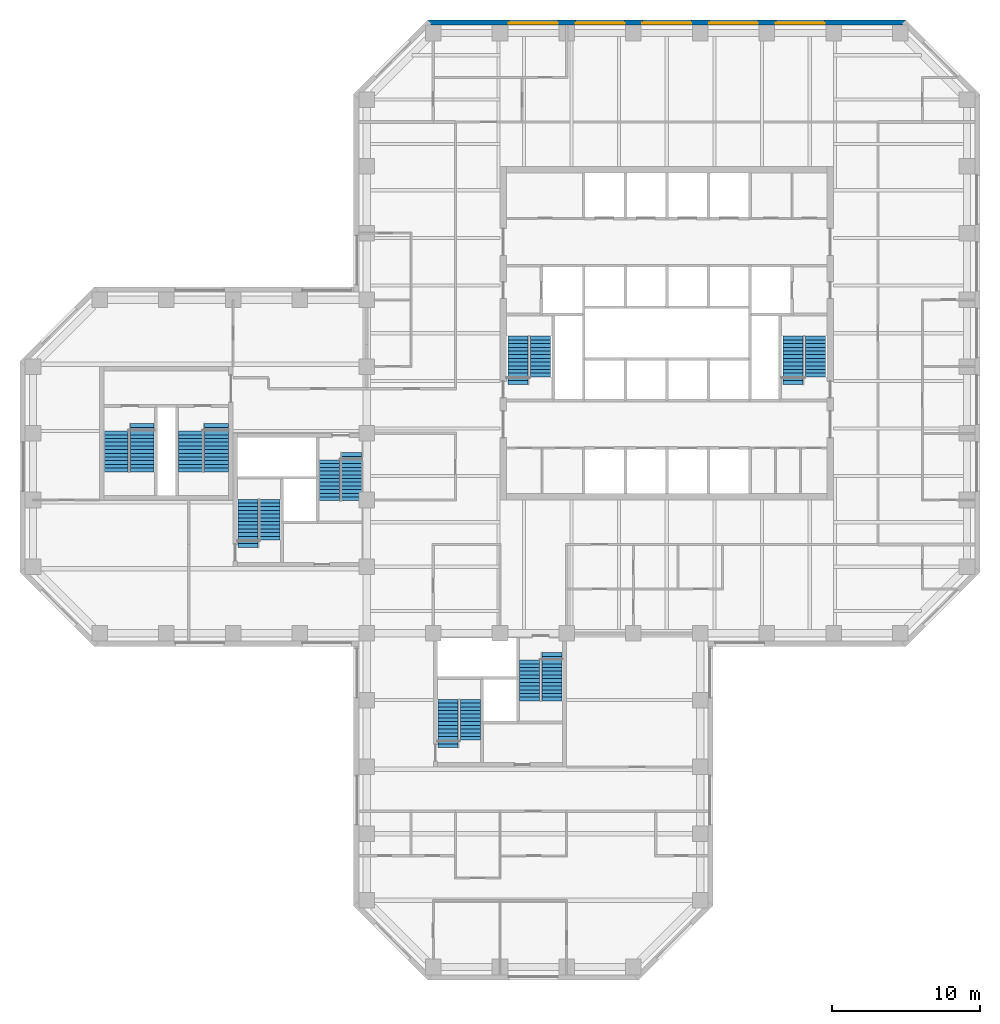
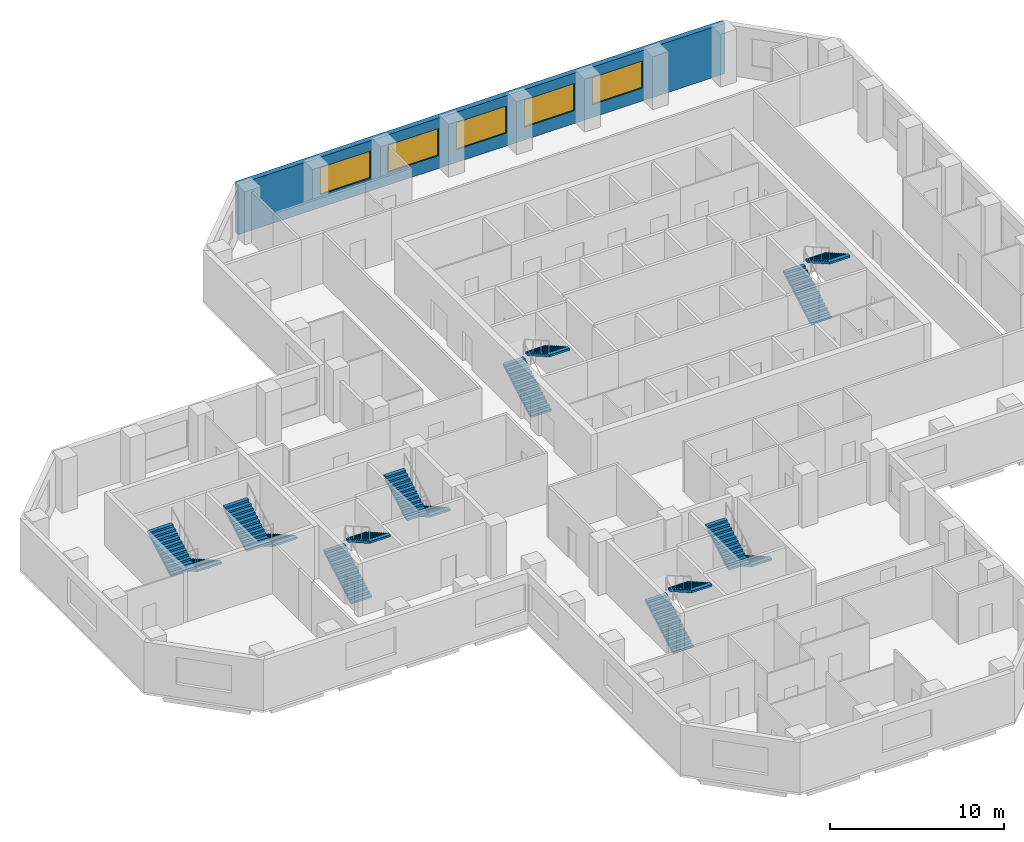
# One storey, part 9 of 10: 16 stair flights, 5 windows, 1 wall, 5 openings, 8 elements without a shape of their own.
"""IFC4 building model written with IfcOpenShell, lengths in metres."""

from ifc_helpers import new_model, si_unit, direction, frame, frame_2d, origin, place, context, subcontext, project, spatial, polyline, rectangle, outline, extrude, material, layer, layer_set, constituent, constituent_set, type_object, element, fill, aggregate, save


model = new_model("IFC4")

# Units and contexts
model_context = context("Model", 3, precision=1e-05, world=origin(), true_north=direction((0.0, 1.0)))
body_context = subcontext(model_context, "Body", "Model", "MODEL_VIEW")
ifc_project = project(units=[si_unit("LENGTHUNIT", "METRE"), si_unit("AREAUNIT", "SQUARE_METRE"), si_unit("VOLUMEUNIT", "CUBIC_METRE"), si_unit("PLANEANGLEUNIT", "RADIAN"), si_unit("MASSUNIT", "GRAM", prefix="KILO")], contexts=[model_context])

# Site, building, storey
site_placement = place(None, origin())
site = spatial("IfcSite", under=ifc_project, at=site_placement, CompositionType="ELEMENT")
building_placement = place(site_placement, origin())
building = spatial("IfcBuilding", under=site, at=building_placement, Name="Quoin Convention Tower", CompositionType="ELEMENT")
storey_placement = place(building_placement, frame((0.0, 0.0, 90.0)))
storey = spatial("IfcBuildingStorey", under=building, at=storey_placement, Name="L23", CompositionType="ELEMENT", Elevation=90.0)

# Wall, openings, windows
ifc_material_1 = material(Name="Brick masonry", Category="masonry")
ifc_layer = layer(ifc_material_1, 0.35009765625)
ifc_layer_set = layer_set([ifc_layer], Name="Brick masonry")
wall_type = type_object("IfcWallType", Name="Brick facade wall", PredefinedType="STANDARD", material=ifc_layer_set)
wall_placement = place(storey_placement, frame((72.3623046875, 81.699951171875, 0.0), z_axis=(0.0, 0.0, 1.0), x_axis=(-1.0, 0.0, 0.0)))
wall = element("IfcWall", 1, at=wall_placement, inside=storey, type_object=wall_type, Name="fw-L23-72000_81000", PredefinedType="STANDARD", context=body_context, shape_type="SweptSolid", body=[
    extrude(rectangle(XDim=32.224609375, YDim=0.35009765625, at=frame_2d((16.1123046875, 0.0))), origin(), (0.0, 0.0, 1.0), 3.52490234375),
])
opening_1_placement = place(wall_placement, frame((5.46240234375, 0.0, 0.89990234375)))
opening_1 = element("IfcOpeningElement", 2, at=opening_1_placement, cuts=wall, Name="Opening W-02", PredefinedType="OPENING", context=body_context, shape_type="SweptSolid", body=[
    extrude(rectangle(XDim=3.300048828125, YDim=1.89990234375, at=frame_2d((1.64990234375, 0.949951171875))), frame((0.0, 0.18505859375, 0.0), z_axis=(0.0, -1.0, 0.0), x_axis=(1.0, 0.0, 0.0)), (0.0, 0.0, 1.0), 0.3701171875),
])
opening_2_placement = place(wall_placement, frame((9.96240234375, 0.0, 0.89990234375)))
opening_2 = element("IfcOpeningElement", 3, at=opening_2_placement, cuts=wall, Name="Opening W-02", PredefinedType="OPENING", context=body_context, shape_type="SweptSolid", body=[
    extrude(rectangle(XDim=3.300048828125, YDim=1.89990234375, at=frame_2d((1.64990234375, 0.949951171875))), frame((0.0, 0.18505859375, 0.0), z_axis=(0.0, -1.0, 0.0), x_axis=(1.0, 0.0, 0.0)), (0.0, 0.0, 1.0), 0.3701171875),
])
opening_3_placement = place(wall_placement, frame((14.46240234375, 0.0, 0.89990234375)))
opening_3 = element("IfcOpeningElement", 4, at=opening_3_placement, cuts=wall, Name="Opening W-02", PredefinedType="OPENING", context=body_context, shape_type="SweptSolid", body=[
    extrude(rectangle(XDim=3.300048828125, YDim=1.89990234375, at=frame_2d((1.64990234375, 0.949951171875))), frame((0.0, 0.18505859375, 0.0), z_axis=(0.0, -1.0, 0.0), x_axis=(1.0, 0.0, 0.0)), (0.0, 0.0, 1.0), 0.3701171875),
])
opening_4_placement = place(wall_placement, frame((18.96240234375, 0.0, 0.89990234375)))
opening_4 = element("IfcOpeningElement", 5, at=opening_4_placement, cuts=wall, Name="Opening W-02", PredefinedType="OPENING", context=body_context, shape_type="SweptSolid", body=[
    extrude(rectangle(XDim=3.300048828125, YDim=1.89990234375, at=frame_2d((1.64990234375, 0.949951171875))), frame((0.0, 0.18505859375, 0.0), z_axis=(0.0, -1.0, 0.0), x_axis=(1.0, 0.0, 0.0)), (0.0, 0.0, 1.0), 0.3701171875),
])
opening_5_placement = place(wall_placement, frame((23.46240234375, 0.0, 0.89990234375)))
opening_5 = element("IfcOpeningElement", 6, at=opening_5_placement, cuts=wall, Name="Opening W-02", PredefinedType="OPENING", context=body_context, shape_type="SweptSolid", body=[
    extrude(rectangle(XDim=3.300048828125, YDim=1.89990234375, at=frame_2d((1.64990234375, 0.949951171875))), frame((0.0, 0.18505859375, 0.0), z_axis=(0.0, -1.0, 0.0), x_axis=(1.0, 0.0, 0.0)), (0.0, 0.0, 1.0), 0.3701171875),
])
ifc_material_2 = material(Name="Aluminium", Category="aluminium")
ifc_constituent_1 = constituent(ifc_material_2, Name="Frame")
ifc_material_3 = material(Name="Insulated glass", Category="glass")
ifc_constituent_2 = constituent(ifc_material_3, Name="Glazing")
ifc_constituent_set = constituent_set(constituents=[ifc_constituent_1, ifc_constituent_2], Name="Aluminium")
window_type = type_object("IfcWindowType", Name="Office window", PartitioningType="DOUBLE_PANEL_VERTICAL", PredefinedType="WINDOW", material=ifc_constituent_set)
window_1_placement = place(opening_1_placement, origin())
window_1 = element("IfcWindow", 7, at=window_1_placement, inside=storey, type_object=window_type, Name="win-L23-65250_81700", OverallHeight=1.89990234375, OverallWidth=3.300048828125, PartitioningType="SINGLE_PANEL", PredefinedType="WINDOW", context=body_context, shape_type="SweptSolid", body=[
    extrude(rectangle(XDim=3.300048828125, YDim=1.89990234375, at=frame_2d((1.64990234375, 0.949951171875))), frame((0.0, 0.0849609375, 0.0), z_axis=(0.0, -1.0, 0.0), x_axis=(1.0, 0.0, 0.0)), (0.0, 0.0, 1.0), 0.06005859375),
])
fill(opening_1, window_1)
window_2_placement = place(opening_2_placement, origin())
window_2 = element("IfcWindow", 8, at=window_2_placement, inside=storey, type_object=window_type, Name="win-L23-60750_81700", OverallHeight=1.89990234375, OverallWidth=3.300048828125, PartitioningType="SINGLE_PANEL", PredefinedType="WINDOW", context=body_context, shape_type="SweptSolid", body=[
    extrude(rectangle(XDim=3.300048828125, YDim=1.89990234375, at=frame_2d((1.64990234375, 0.949951171875))), frame((0.0, 0.0849609375, 0.0), z_axis=(0.0, -1.0, 0.0), x_axis=(1.0, 0.0, 0.0)), (0.0, 0.0, 1.0), 0.06005859375),
])
fill(opening_2, window_2)
window_3_placement = place(opening_3_placement, origin())
window_3 = element("IfcWindow", 9, at=window_3_placement, inside=storey, type_object=window_type, Name="win-L23-56250_81700", OverallHeight=1.89990234375, OverallWidth=3.300048828125, PartitioningType="SINGLE_PANEL", PredefinedType="WINDOW", context=body_context, shape_type="SweptSolid", body=[
    extrude(rectangle(XDim=3.300048828125, YDim=1.89990234375, at=frame_2d((1.64990234375, 0.949951171875))), frame((0.0, 0.0849609375, 0.0), z_axis=(0.0, -1.0, 0.0), x_axis=(1.0, 0.0, 0.0)), (0.0, 0.0, 1.0), 0.06005859375),
])
fill(opening_3, window_3)
window_4_placement = place(opening_4_placement, origin())
window_4 = element("IfcWindow", 10, at=window_4_placement, inside=storey, type_object=window_type, Name="win-L23-51750_81700", OverallHeight=1.89990234375, OverallWidth=3.300048828125, PartitioningType="SINGLE_PANEL", PredefinedType="WINDOW", context=body_context, shape_type="SweptSolid", body=[
    extrude(rectangle(XDim=3.300048828125, YDim=1.89990234375, at=frame_2d((1.64990234375, 0.949951171875))), frame((0.0, 0.0849609375, 0.0), z_axis=(0.0, -1.0, 0.0), x_axis=(1.0, 0.0, 0.0)), (0.0, 0.0, 1.0), 0.06005859375),
])
fill(opening_4, window_4)
window_5_placement = place(opening_5_placement, origin())
window_5 = element("IfcWindow", 11, at=window_5_placement, inside=storey, type_object=window_type, Name="win-L23-47250_81700", OverallHeight=1.89990234375, OverallWidth=3.300048828125, PartitioningType="SINGLE_PANEL", PredefinedType="WINDOW", context=body_context, shape_type="SweptSolid", body=[
    extrude(rectangle(XDim=3.300048828125, YDim=1.89990234375, at=frame_2d((1.64990234375, 0.949951171875))), frame((0.0, 0.0849609375, 0.0), z_axis=(0.0, -1.0, 0.0), x_axis=(1.0, 0.0, 0.0)), (0.0, 0.0, 1.0), 0.06005859375),
])
fill(opening_5, window_5)

# Stair, stair flights
ifc_material_4 = material(Name="Concrete C40", Category="concrete")
stair_type_1 = type_object("IfcStairType", Name="Exit stair two-flight 1350", PredefinedType="HALF_TURN_STAIR", material=ifc_material_4)
stair_1_placement = place(storey_placement, origin())
stair_1 = element("IfcStair", 12, at=stair_1_placement, inside=storey, type_object=stair_type_1, Name="SD1 L23", PredefinedType="HALF_TURN_STAIR")
stair_flight_type_1 = type_object("IfcStairFlightType", Name="Stair flight 1350", PredefinedType="STRAIGHT", material=ifc_material_4)
stair_flight_1_placement = place(storey_placement, frame((46.22509765625, 57.300048828125, 0.0), z_axis=(0.0, 0.0, 1.0), x_axis=(0.0, 1.0, 0.0)))
stair_flight_1 = element("IfcStairFlight", 13, at=stair_flight_1_placement, type_object=stair_flight_type_1, Name="ST1 flight 1", NumberOfRisers=14, NumberOfTreads=13, PredefinedType="STRAIGHT", RiserHeight=0.142307692, TreadLength=0.25, context=body_context, shape_type="SweptSolid", body=[
    extrude(outline(polyline([(0.0, 0.0), (0.0, 0.142333984375), (0.25, 0.142333984375), (0.25, 0.28466796875), (0.5, 0.28466796875), (0.5, 0.427001953125), (0.75, 0.427001953125), (0.75, 0.5693359375), (1.0, 0.5693359375), (1.0, 0.71142578125), (1.25, 0.71142578125), (1.25, 0.853759765625), (1.5, 0.853759765625), (1.5, 0.99609375), (1.75, 0.99609375), (1.75, 1.138427734375), (2.0, 1.138427734375), (2.0, 1.28076171875), (2.25, 1.28076171875), (2.25, 1.423095703125), (2.5, 1.423095703125), (2.5, 1.5654296875), (2.75, 1.5654296875), (2.75, 1.707763671875), (3.0, 1.707763671875), (3.0, 1.85009765625), (3.25, 1.85009765625), (3.25, 1.9921875), (3.25, 1.711669921875), (0.242919921875, 0.0), (0.0, 0.0)])), frame((0.0, 0.675048828125, 0.0), z_axis=(0.0, -1.0, 0.0), x_axis=(1.0, 0.0, 0.0)), (0.0, 0.0, 1.0), 1.35009765625),
])
stair_flight_2_placement = place(storey_placement, frame((47.72509765625, 60.550048828125, 1.9921875), z_axis=(0.0, 0.0, 1.0), x_axis=(0.0, -1.0, 0.0)))
stair_flight_2 = element("IfcStairFlight", 14, at=stair_flight_2_placement, type_object=stair_flight_type_1, Name="ST1 flight 2", NumberOfRisers=12, NumberOfTreads=11, PredefinedType="STRAIGHT", RiserHeight=0.142307692, TreadLength=0.25, context=body_context, shape_type="SweptSolid", body=[
    extrude(outline(polyline([(0.0, 0.0), (0.0, 0.142333984375), (0.25, 0.142333984375), (0.25, 0.28466796875), (0.5, 0.28466796875), (0.5, 0.427001953125), (0.75, 0.427001953125), (0.75, 0.5693359375), (1.0, 0.5693359375), (1.0, 0.71142578125), (1.25, 0.71142578125), (1.25, 0.853759765625), (1.5, 0.853759765625), (1.5, 0.99609375), (1.75, 0.99609375), (1.75, 1.138427734375), (2.0, 1.138427734375), (2.0, 1.28076171875), (2.25, 1.28076171875), (2.25, 1.423095703125), (2.5, 1.423095703125), (2.5, 1.5654296875), (2.75, 1.5654296875), (2.75, 1.707763671875), (2.75, 1.42724609375), (0.242919921875, 0.0), (0.0, 0.0)])), frame((0.0, 0.675048828125, 0.0), z_axis=(0.0, -1.0, 0.0), x_axis=(1.0, 0.0, 0.0)), (0.0, 0.0, 1.0), 1.35009765625),
])
aggregate(stair_1, [stair_flight_1, stair_flight_2])

stair_2_placement = place(storey_placement, origin())
stair_2 = element("IfcStair", 15, at=stair_2_placement, inside=storey, type_object=stair_type_1, Name="SD2 L23", PredefinedType="HALF_TURN_STAIR")
stair_flight_3_placement = place(storey_placement, frame((64.77490234375, 57.300048828125, 0.0), z_axis=(0.0, 0.0, 1.0), x_axis=(0.0, 1.0, 0.0)))
stair_flight_3 = element("IfcStairFlight", 16, at=stair_flight_3_placement, type_object=stair_flight_type_1, Name="ST2 flight 1", NumberOfRisers=14, NumberOfTreads=13, PredefinedType="STRAIGHT", RiserHeight=0.142307692, TreadLength=0.25, context=body_context, shape_type="SweptSolid", body=[
    extrude(outline(polyline([(0.0, 0.0), (0.0, 0.142333984375), (0.25, 0.142333984375), (0.25, 0.28466796875), (0.5, 0.28466796875), (0.5, 0.427001953125), (0.75, 0.427001953125), (0.75, 0.5693359375), (1.0, 0.5693359375), (1.0, 0.71142578125), (1.25, 0.71142578125), (1.25, 0.853759765625), (1.5, 0.853759765625), (1.5, 0.99609375), (1.75, 0.99609375), (1.75, 1.138427734375), (2.0, 1.138427734375), (2.0, 1.28076171875), (2.25, 1.28076171875), (2.25, 1.423095703125), (2.5, 1.423095703125), (2.5, 1.5654296875), (2.75, 1.5654296875), (2.75, 1.707763671875), (3.0, 1.707763671875), (3.0, 1.85009765625), (3.25, 1.85009765625), (3.25, 1.9921875), (3.25, 1.711669921875), (0.242919921875, 0.0), (0.0, 0.0)])), frame((0.0, 0.675048828125, 0.0), z_axis=(0.0, -1.0, 0.0), x_axis=(1.0, 0.0, 0.0)), (0.0, 0.0, 1.0), 1.35009765625),
])
stair_flight_4_placement = place(storey_placement, frame((66.27490234375, 60.550048828125, 1.9921875), z_axis=(0.0, 0.0, 1.0), x_axis=(0.0, -1.0, 0.0)))
stair_flight_4 = element("IfcStairFlight", 17, at=stair_flight_4_placement, type_object=stair_flight_type_1, Name="ST2 flight 2", NumberOfRisers=12, NumberOfTreads=11, PredefinedType="STRAIGHT", RiserHeight=0.142307692, TreadLength=0.25, context=body_context, shape_type="SweptSolid", body=[
    extrude(outline(polyline([(0.0, 0.0), (0.0, 0.142333984375), (0.25, 0.142333984375), (0.25, 0.28466796875), (0.5, 0.28466796875), (0.5, 0.427001953125), (0.75, 0.427001953125), (0.75, 0.5693359375), (1.0, 0.5693359375), (1.0, 0.71142578125), (1.25, 0.71142578125), (1.25, 0.853759765625), (1.5, 0.853759765625), (1.5, 0.99609375), (1.75, 0.99609375), (1.75, 1.138427734375), (2.0, 1.138427734375), (2.0, 1.28076171875), (2.25, 1.28076171875), (2.25, 1.423095703125), (2.5, 1.423095703125), (2.5, 1.5654296875), (2.75, 1.5654296875), (2.75, 1.707763671875), (2.75, 1.42724609375), (0.242919921875, 0.0), (0.0, 0.0)])), frame((0.0, 0.675048828125, 0.0), z_axis=(0.0, -1.0, 0.0), x_axis=(1.0, 0.0, 0.0)), (0.0, 0.0, 1.0), 1.35009765625),
])
aggregate(stair_2, [stair_flight_3, stair_flight_4])

stair_3_placement = place(storey_placement, origin())
stair_3 = element("IfcStair", 18, at=stair_3_placement, inside=storey, type_object=stair_type_1, Name="SD3 L23", PredefinedType="HALF_TURN_STAIR")
stair_flight_5_placement = place(storey_placement, frame((28.0, 46.300048828125, 0.0), z_axis=(0.0, 0.0, 1.0), x_axis=(0.0, 1.0, 0.0)))
stair_flight_5 = element("IfcStairFlight", 19, at=stair_flight_5_placement, type_object=stair_flight_type_1, Name="ST3 flight 1", NumberOfRisers=14, NumberOfTreads=13, PredefinedType="STRAIGHT", RiserHeight=0.142307692, TreadLength=0.25, context=body_context, shape_type="SweptSolid", body=[
    extrude(outline(polyline([(0.0, 0.0), (0.0, 0.142333984375), (0.25, 0.142333984375), (0.25, 0.28466796875), (0.5, 0.28466796875), (0.5, 0.427001953125), (0.75, 0.427001953125), (0.75, 0.5693359375), (1.0, 0.5693359375), (1.0, 0.71142578125), (1.25, 0.71142578125), (1.25, 0.853759765625), (1.5, 0.853759765625), (1.5, 0.99609375), (1.75, 0.99609375), (1.75, 1.138427734375), (2.0, 1.138427734375), (2.0, 1.28076171875), (2.25, 1.28076171875), (2.25, 1.423095703125), (2.5, 1.423095703125), (2.5, 1.5654296875), (2.75, 1.5654296875), (2.75, 1.707763671875), (3.0, 1.707763671875), (3.0, 1.85009765625), (3.25, 1.85009765625), (3.25, 1.9921875), (3.25, 1.711669921875), (0.242919921875, 0.0), (0.0, 0.0)])), frame((0.0, 0.675048828125, 0.0), z_axis=(0.0, -1.0, 0.0), x_axis=(1.0, 0.0, 0.0)), (0.0, 0.0, 1.0), 1.35009765625),
])
stair_flight_6_placement = place(storey_placement, frame((29.5, 49.550048828125, 1.9921875), z_axis=(0.0, 0.0, 1.0), x_axis=(0.0, -1.0, 0.0)))
stair_flight_6 = element("IfcStairFlight", 20, at=stair_flight_6_placement, type_object=stair_flight_type_1, Name="ST3 flight 2", NumberOfRisers=12, NumberOfTreads=11, PredefinedType="STRAIGHT", RiserHeight=0.142307692, TreadLength=0.25, context=body_context, shape_type="SweptSolid", body=[
    extrude(outline(polyline([(0.0, 0.0), (0.0, 0.142333984375), (0.25, 0.142333984375), (0.25, 0.28466796875), (0.5, 0.28466796875), (0.5, 0.427001953125), (0.75, 0.427001953125), (0.75, 0.5693359375), (1.0, 0.5693359375), (1.0, 0.71142578125), (1.25, 0.71142578125), (1.25, 0.853759765625), (1.5, 0.853759765625), (1.5, 0.99609375), (1.75, 0.99609375), (1.75, 1.138427734375), (2.0, 1.138427734375), (2.0, 1.28076171875), (2.25, 1.28076171875), (2.25, 1.423095703125), (2.5, 1.423095703125), (2.5, 1.5654296875), (2.75, 1.5654296875), (2.75, 1.707763671875), (2.75, 1.42724609375), (0.242919921875, 0.0), (0.0, 0.0)])), frame((0.0, 0.675048828125, 0.0), z_axis=(0.0, -1.0, 0.0), x_axis=(1.0, 0.0, 0.0)), (0.0, 0.0, 1.0), 1.35009765625),
])
aggregate(stair_3, [stair_flight_5, stair_flight_6])

stair_4_placement = place(storey_placement, origin())
stair_4 = element("IfcStair", 21, at=stair_4_placement, inside=storey, type_object=stair_type_1, Name="SD4 L23", PredefinedType="HALF_TURN_STAIR")
stair_flight_7_placement = place(storey_placement, frame((35.0, 52.699951171875, 0.0), z_axis=(0.0, 0.0, 1.0), x_axis=(0.0, -1.0, 0.0)))
stair_flight_7 = element("IfcStairFlight", 22, at=stair_flight_7_placement, type_object=stair_flight_type_1, Name="ST4 flight 1", NumberOfRisers=14, NumberOfTreads=13, PredefinedType="STRAIGHT", RiserHeight=0.142307692, TreadLength=0.25, context=body_context, shape_type="SweptSolid", body=[
    extrude(outline(polyline([(0.0, 0.0), (0.0, 0.142333984375), (0.25, 0.142333984375), (0.25, 0.28466796875), (0.5, 0.28466796875), (0.5, 0.427001953125), (0.75, 0.427001953125), (0.75, 0.5693359375), (1.0, 0.5693359375), (1.0, 0.71142578125), (1.25, 0.71142578125), (1.25, 0.853759765625), (1.5, 0.853759765625), (1.5, 0.99609375), (1.75, 0.99609375), (1.75, 1.138427734375), (2.0, 1.138427734375), (2.0, 1.28076171875), (2.25, 1.28076171875), (2.25, 1.423095703125), (2.5, 1.423095703125), (2.5, 1.5654296875), (2.75, 1.5654296875), (2.75, 1.707763671875), (3.0, 1.707763671875), (3.0, 1.85009765625), (3.25, 1.85009765625), (3.25, 1.9921875), (3.25, 1.711669921875), (0.242919921875, 0.0), (0.0, 0.0)])), frame((0.0, 0.675048828125, 0.0), z_axis=(0.0, -1.0, 0.0), x_axis=(1.0, 0.0, 0.0)), (0.0, 0.0, 1.0), 1.35009765625),
])
stair_flight_8_placement = place(storey_placement, frame((33.5, 49.449951171875, 1.9921875), z_axis=(0.0, 0.0, 1.0), x_axis=(0.0, 1.0, 0.0)))
stair_flight_8 = element("IfcStairFlight", 23, at=stair_flight_8_placement, type_object=stair_flight_type_1, Name="ST4 flight 2", NumberOfRisers=12, NumberOfTreads=11, PredefinedType="STRAIGHT", RiserHeight=0.142307692, TreadLength=0.25, context=body_context, shape_type="SweptSolid", body=[
    extrude(outline(polyline([(0.0, 0.0), (0.0, 0.142333984375), (0.25, 0.142333984375), (0.25, 0.28466796875), (0.5, 0.28466796875), (0.5, 0.427001953125), (0.75, 0.427001953125), (0.75, 0.5693359375), (1.0, 0.5693359375), (1.0, 0.71142578125), (1.25, 0.71142578125), (1.25, 0.853759765625), (1.5, 0.853759765625), (1.5, 0.99609375), (1.75, 0.99609375), (1.75, 1.138427734375), (2.0, 1.138427734375), (2.0, 1.28076171875), (2.25, 1.28076171875), (2.25, 1.423095703125), (2.5, 1.423095703125), (2.5, 1.5654296875), (2.75, 1.5654296875), (2.75, 1.707763671875), (2.75, 1.42724609375), (0.242919921875, 0.0), (0.0, 0.0)])), frame((0.0, 0.675048828125, 0.0), z_axis=(0.0, -1.0, 0.0), x_axis=(1.0, 0.0, 0.0)), (0.0, 0.0, 1.0), 1.35009765625),
])
aggregate(stair_4, [stair_flight_7, stair_flight_8])

stair_5_placement = place(storey_placement, origin())
stair_5 = element("IfcStair", 24, at=stair_5_placement, inside=storey, type_object=stair_type_1, Name="SD5 L23", PredefinedType="HALF_TURN_STAIR")
stair_flight_9_placement = place(storey_placement, frame((41.5, 32.800048828125, 0.0), z_axis=(0.0, 0.0, 1.0), x_axis=(0.0, 1.0, 0.0)))
stair_flight_9 = element("IfcStairFlight", 25, at=stair_flight_9_placement, type_object=stair_flight_type_1, Name="ST5 flight 1", NumberOfRisers=14, NumberOfTreads=13, PredefinedType="STRAIGHT", RiserHeight=0.142307692, TreadLength=0.25, context=body_context, shape_type="SweptSolid", body=[
    extrude(outline(polyline([(0.0, 0.0), (0.0, 0.142333984375), (0.25, 0.142333984375), (0.25, 0.28466796875), (0.5, 0.28466796875), (0.5, 0.427001953125), (0.75, 0.427001953125), (0.75, 0.5693359375), (1.0, 0.5693359375), (1.0, 0.71142578125), (1.25, 0.71142578125), (1.25, 0.853759765625), (1.5, 0.853759765625), (1.5, 0.99609375), (1.75, 0.99609375), (1.75, 1.138427734375), (2.0, 1.138427734375), (2.0, 1.28076171875), (2.25, 1.28076171875), (2.25, 1.423095703125), (2.5, 1.423095703125), (2.5, 1.5654296875), (2.75, 1.5654296875), (2.75, 1.707763671875), (3.0, 1.707763671875), (3.0, 1.85009765625), (3.25, 1.85009765625), (3.25, 1.9921875), (3.25, 1.711669921875), (0.242919921875, 0.0), (0.0, 0.0)])), frame((0.0, 0.675048828125, 0.0), z_axis=(0.0, -1.0, 0.0), x_axis=(1.0, 0.0, 0.0)), (0.0, 0.0, 1.0), 1.35009765625),
])
stair_flight_10_placement = place(storey_placement, frame((43.0, 36.050048828125, 1.9921875), z_axis=(0.0, 0.0, 1.0), x_axis=(0.0, -1.0, 0.0)))
stair_flight_10 = element("IfcStairFlight", 26, at=stair_flight_10_placement, type_object=stair_flight_type_1, Name="ST5 flight 2", NumberOfRisers=12, NumberOfTreads=11, PredefinedType="STRAIGHT", RiserHeight=0.142307692, TreadLength=0.25, context=body_context, shape_type="SweptSolid", body=[
    extrude(outline(polyline([(0.0, 0.0), (0.0, 0.142333984375), (0.25, 0.142333984375), (0.25, 0.28466796875), (0.5, 0.28466796875), (0.5, 0.427001953125), (0.75, 0.427001953125), (0.75, 0.5693359375), (1.0, 0.5693359375), (1.0, 0.71142578125), (1.25, 0.71142578125), (1.25, 0.853759765625), (1.5, 0.853759765625), (1.5, 0.99609375), (1.75, 0.99609375), (1.75, 1.138427734375), (2.0, 1.138427734375), (2.0, 1.28076171875), (2.25, 1.28076171875), (2.25, 1.423095703125), (2.5, 1.423095703125), (2.5, 1.5654296875), (2.75, 1.5654296875), (2.75, 1.707763671875), (2.75, 1.42724609375), (0.242919921875, 0.0), (0.0, 0.0)])), frame((0.0, 0.675048828125, 0.0), z_axis=(0.0, -1.0, 0.0), x_axis=(1.0, 0.0, 0.0)), (0.0, 0.0, 1.0), 1.35009765625),
])
aggregate(stair_5, [stair_flight_9, stair_flight_10])

stair_6_placement = place(storey_placement, origin())
stair_6 = element("IfcStair", 27, at=stair_6_placement, inside=storey, type_object=stair_type_1, Name="SD6 L23", PredefinedType="HALF_TURN_STAIR")
stair_flight_11_placement = place(storey_placement, frame((48.5, 39.199951171875, 0.0), z_axis=(0.0, 0.0, 1.0), x_axis=(0.0, -1.0, 0.0)))
stair_flight_11 = element("IfcStairFlight", 28, at=stair_flight_11_placement, type_object=stair_flight_type_1, Name="ST6 flight 1", NumberOfRisers=14, NumberOfTreads=13, PredefinedType="STRAIGHT", RiserHeight=0.142307692, TreadLength=0.25, context=body_context, shape_type="SweptSolid", body=[
    extrude(outline(polyline([(0.0, 0.0), (0.0, 0.142333984375), (0.25, 0.142333984375), (0.25, 0.28466796875), (0.5, 0.28466796875), (0.5, 0.427001953125), (0.75, 0.427001953125), (0.75, 0.5693359375), (1.0, 0.5693359375), (1.0, 0.71142578125), (1.25, 0.71142578125), (1.25, 0.853759765625), (1.5, 0.853759765625), (1.5, 0.99609375), (1.75, 0.99609375), (1.75, 1.138427734375), (2.0, 1.138427734375), (2.0, 1.28076171875), (2.25, 1.28076171875), (2.25, 1.423095703125), (2.5, 1.423095703125), (2.5, 1.5654296875), (2.75, 1.5654296875), (2.75, 1.707763671875), (3.0, 1.707763671875), (3.0, 1.85009765625), (3.25, 1.85009765625), (3.25, 1.9921875), (3.25, 1.711669921875), (0.242919921875, 0.0), (0.0, 0.0)])), frame((0.0, 0.675048828125, 0.0), z_axis=(0.0, -1.0, 0.0), x_axis=(1.0, 0.0, 0.0)), (0.0, 0.0, 1.0), 1.35009765625),
])
stair_flight_12_placement = place(storey_placement, frame((47.0, 35.949951171875, 1.9921875), z_axis=(0.0, 0.0, 1.0), x_axis=(0.0, 1.0, 0.0)))
stair_flight_12 = element("IfcStairFlight", 29, at=stair_flight_12_placement, type_object=stair_flight_type_1, Name="ST6 flight 2", NumberOfRisers=12, NumberOfTreads=11, PredefinedType="STRAIGHT", RiserHeight=0.142307692, TreadLength=0.25, context=body_context, shape_type="SweptSolid", body=[
    extrude(outline(polyline([(0.0, 0.0), (0.0, 0.142333984375), (0.25, 0.142333984375), (0.25, 0.28466796875), (0.5, 0.28466796875), (0.5, 0.427001953125), (0.75, 0.427001953125), (0.75, 0.5693359375), (1.0, 0.5693359375), (1.0, 0.71142578125), (1.25, 0.71142578125), (1.25, 0.853759765625), (1.5, 0.853759765625), (1.5, 0.99609375), (1.75, 0.99609375), (1.75, 1.138427734375), (2.0, 1.138427734375), (2.0, 1.28076171875), (2.25, 1.28076171875), (2.25, 1.423095703125), (2.5, 1.423095703125), (2.5, 1.5654296875), (2.75, 1.5654296875), (2.75, 1.707763671875), (2.75, 1.42724609375), (0.242919921875, 0.0), (0.0, 0.0)])), frame((0.0, 0.675048828125, 0.0), z_axis=(0.0, -1.0, 0.0), x_axis=(1.0, 0.0, 0.0)), (0.0, 0.0, 1.0), 1.35009765625),
])
aggregate(stair_6, [stair_flight_11, stair_flight_12])

stair_type_2 = type_object("IfcStairType", Name="Exit stair two-flight 1600", PredefinedType="HALF_TURN_STAIR", material=ifc_material_4)
stair_7_placement = place(storey_placement, origin())
stair_7 = element("IfcStair", 30, at=stair_7_placement, inside=storey, type_object=stair_type_2, Name="SD11 L23", PredefinedType="HALF_TURN_STAIR")
stair_flight_type_2 = type_object("IfcStairFlightType", Name="Stair flight 1600", PredefinedType="STRAIGHT", material=ifc_material_4)
stair_flight_13_placement = place(storey_placement, frame((20.875, 54.64990234375, 0.0), z_axis=(0.0, 0.0, 1.0), x_axis=(0.0, -1.0, 0.0)))
stair_flight_13 = element("IfcStairFlight", 31, at=stair_flight_13_placement, type_object=stair_flight_type_2, Name="ST11 flight 1", NumberOfRisers=14, NumberOfTreads=13, PredefinedType="STRAIGHT", RiserHeight=0.142307692, TreadLength=0.25, context=body_context, shape_type="SweptSolid", body=[
    extrude(outline(polyline([(0.0, 0.0), (0.0, 0.142333984375), (0.25, 0.142333984375), (0.25, 0.28466796875), (0.5, 0.28466796875), (0.5, 0.427001953125), (0.75, 0.427001953125), (0.75, 0.5693359375), (1.0, 0.5693359375), (1.0, 0.71142578125), (1.25, 0.71142578125), (1.25, 0.853759765625), (1.5, 0.853759765625), (1.5, 0.99609375), (1.75, 0.99609375), (1.75, 1.138427734375), (2.0, 1.138427734375), (2.0, 1.28076171875), (2.25, 1.28076171875), (2.25, 1.423095703125), (2.5, 1.423095703125), (2.5, 1.5654296875), (2.75, 1.5654296875), (2.75, 1.707763671875), (3.0, 1.707763671875), (3.0, 1.85009765625), (3.25, 1.85009765625), (3.25, 1.9921875), (3.25, 1.711669921875), (0.242919921875, 0.0), (0.0, 0.0)])), frame((0.0, 0.800048828125, 0.0), z_axis=(0.0, -1.0, 0.0), x_axis=(1.0, 0.0, 0.0)), (0.0, 0.0, 1.0), 1.60009765625),
])
stair_flight_14_placement = place(storey_placement, frame((19.125, 51.39990234375, 1.9921875), z_axis=(0.0, 0.0, 1.0), x_axis=(0.0, 1.0, 0.0)))
stair_flight_14 = element("IfcStairFlight", 32, at=stair_flight_14_placement, type_object=stair_flight_type_2, Name="ST11 flight 2", NumberOfRisers=12, NumberOfTreads=11, PredefinedType="STRAIGHT", RiserHeight=0.142307692, TreadLength=0.25, context=body_context, shape_type="SweptSolid", body=[
    extrude(outline(polyline([(0.0, 0.0), (0.0, 0.142333984375), (0.25, 0.142333984375), (0.25, 0.28466796875), (0.5, 0.28466796875), (0.5, 0.427001953125), (0.75, 0.427001953125), (0.75, 0.5693359375), (1.0, 0.5693359375), (1.0, 0.71142578125), (1.25, 0.71142578125), (1.25, 0.853759765625), (1.5, 0.853759765625), (1.5, 0.99609375), (1.75, 0.99609375), (1.75, 1.138427734375), (2.0, 1.138427734375), (2.0, 1.28076171875), (2.25, 1.28076171875), (2.25, 1.423095703125), (2.5, 1.423095703125), (2.5, 1.5654296875), (2.75, 1.5654296875), (2.75, 1.707763671875), (2.75, 1.42724609375), (0.242919921875, 0.0), (0.0, 0.0)])), frame((0.0, 0.800048828125, 0.0), z_axis=(0.0, -1.0, 0.0), x_axis=(1.0, 0.0, 0.0)), (0.0, 0.0, 1.0), 1.60009765625),
])
aggregate(stair_7, [stair_flight_13, stair_flight_14])

stair_8_placement = place(storey_placement, origin())
stair_8 = element("IfcStair", 33, at=stair_8_placement, inside=storey, type_object=stair_type_2, Name="SD12 L23", PredefinedType="HALF_TURN_STAIR")
stair_flight_15_placement = place(storey_placement, frame((25.875, 54.64990234375, 0.0), z_axis=(0.0, 0.0, 1.0), x_axis=(0.0, -1.0, 0.0)))
stair_flight_15 = element("IfcStairFlight", 34, at=stair_flight_15_placement, type_object=stair_flight_type_2, Name="ST12 flight 1", NumberOfRisers=14, NumberOfTreads=13, PredefinedType="STRAIGHT", RiserHeight=0.142307692, TreadLength=0.25, context=body_context, shape_type="SweptSolid", body=[
    extrude(outline(polyline([(0.0, 0.0), (0.0, 0.142333984375), (0.25, 0.142333984375), (0.25, 0.28466796875), (0.5, 0.28466796875), (0.5, 0.427001953125), (0.75, 0.427001953125), (0.75, 0.5693359375), (1.0, 0.5693359375), (1.0, 0.71142578125), (1.25, 0.71142578125), (1.25, 0.853759765625), (1.5, 0.853759765625), (1.5, 0.99609375), (1.75, 0.99609375), (1.75, 1.138427734375), (2.0, 1.138427734375), (2.0, 1.28076171875), (2.25, 1.28076171875), (2.25, 1.423095703125), (2.5, 1.423095703125), (2.5, 1.5654296875), (2.75, 1.5654296875), (2.75, 1.707763671875), (3.0, 1.707763671875), (3.0, 1.85009765625), (3.25, 1.85009765625), (3.25, 1.9921875), (3.25, 1.711669921875), (0.242919921875, 0.0), (0.0, 0.0)])), frame((0.0, 0.800048828125, 0.0), z_axis=(0.0, -1.0, 0.0), x_axis=(1.0, 0.0, 0.0)), (0.0, 0.0, 1.0), 1.60009765625),
])
stair_flight_16_placement = place(storey_placement, frame((24.125, 51.39990234375, 1.9921875), z_axis=(0.0, 0.0, 1.0), x_axis=(0.0, 1.0, 0.0)))
stair_flight_16 = element("IfcStairFlight", 35, at=stair_flight_16_placement, type_object=stair_flight_type_2, Name="ST12 flight 2", NumberOfRisers=12, NumberOfTreads=11, PredefinedType="STRAIGHT", RiserHeight=0.142307692, TreadLength=0.25, context=body_context, shape_type="SweptSolid", body=[
    extrude(outline(polyline([(0.0, 0.0), (0.0, 0.142333984375), (0.25, 0.142333984375), (0.25, 0.28466796875), (0.5, 0.28466796875), (0.5, 0.427001953125), (0.75, 0.427001953125), (0.75, 0.5693359375), (1.0, 0.5693359375), (1.0, 0.71142578125), (1.25, 0.71142578125), (1.25, 0.853759765625), (1.5, 0.853759765625), (1.5, 0.99609375), (1.75, 0.99609375), (1.75, 1.138427734375), (2.0, 1.138427734375), (2.0, 1.28076171875), (2.25, 1.28076171875), (2.25, 1.423095703125), (2.5, 1.423095703125), (2.5, 1.5654296875), (2.75, 1.5654296875), (2.75, 1.707763671875), (2.75, 1.42724609375), (0.242919921875, 0.0), (0.0, 0.0)])), frame((0.0, 0.800048828125, 0.0), z_axis=(0.0, -1.0, 0.0), x_axis=(1.0, 0.0, 0.0)), (0.0, 0.0, 1.0), 1.60009765625),
])
aggregate(stair_8, [stair_flight_15, stair_flight_16])

save(model, "model.ifc")
